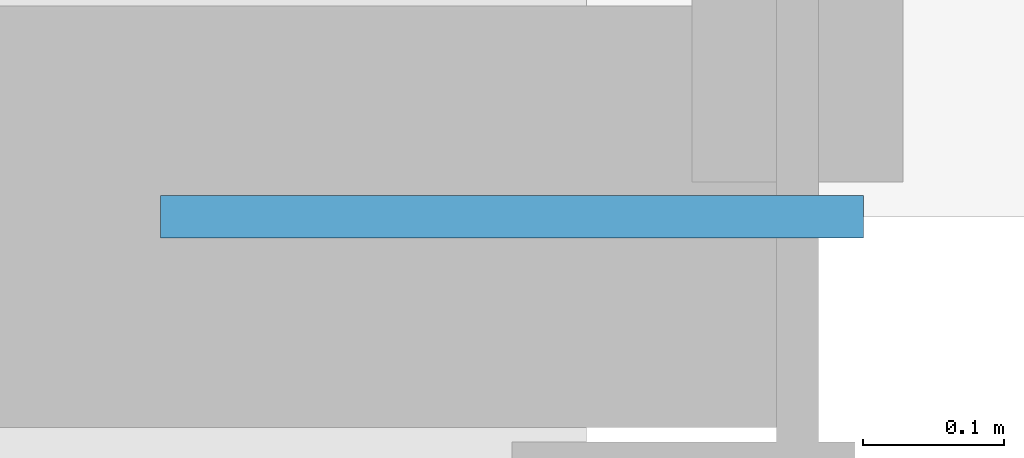
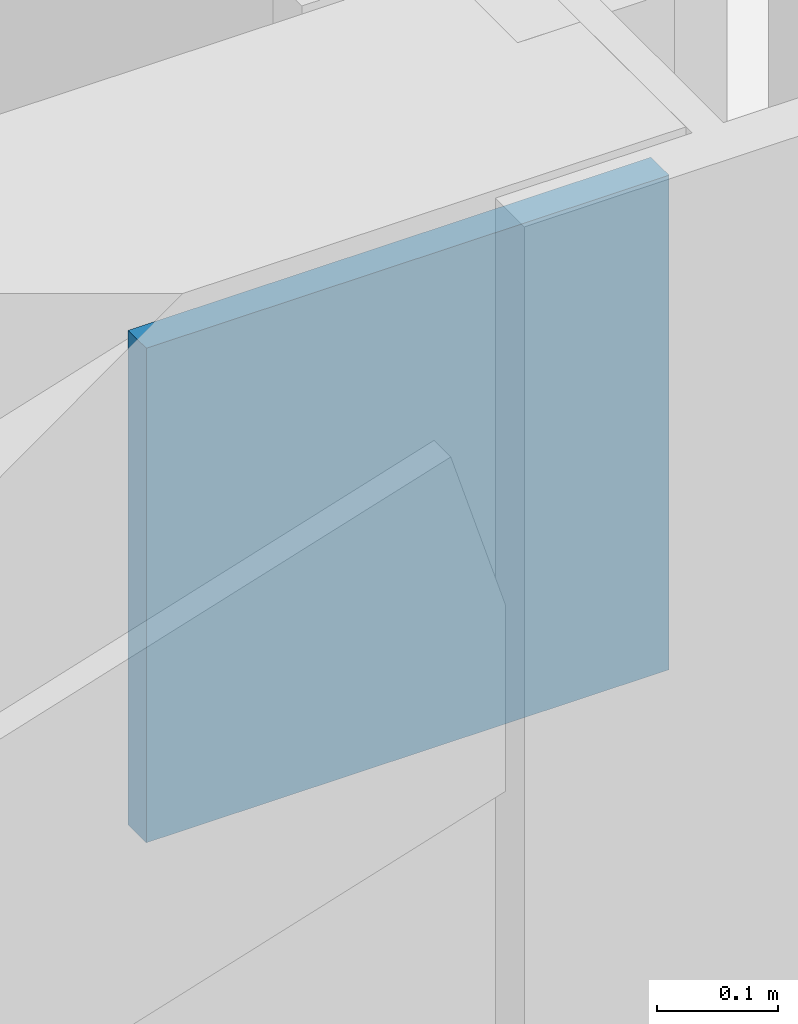
# One storey, part 19 of 28: 1 discrete accessory.
"""IFC4 building model written with IfcOpenShell, lengths in metres."""

from ifc_helpers import new_model, si_unit, direction, frame, origin, origin_2d, place, context, subcontext, project, spatial, rectangle, extrude, material, layer, layer_set, type_object, element, save


model = new_model("IFC4")

# Units and contexts
model_context = context("Model", 3, precision=1e-05, world=origin(), true_north=direction((0.0, 1.0)))
body_context = subcontext(model_context, "Body", "Model", "MODEL_VIEW")
ifc_project = project(units=[si_unit("LENGTHUNIT", "METRE"), si_unit("AREAUNIT", "SQUARE_METRE"), si_unit("VOLUMEUNIT", "CUBIC_METRE"), si_unit("PLANEANGLEUNIT", "RADIAN"), si_unit("MASSUNIT", "GRAM", prefix="KILO")], contexts=[model_context])

# Site, building, storey
site_placement = place(None, origin())
site = spatial("IfcSite", under=ifc_project, at=site_placement, CompositionType="ELEMENT")
building_placement = place(site_placement, origin())
building = spatial("IfcBuilding", under=site, at=building_placement, Name="Mahtab Terrace Research Tower", CompositionType="ELEMENT")
storey_placement = place(building_placement, frame((0.0, 0.0, 185.800048828125)))
storey = spatial("IfcBuildingStorey", under=building, at=storey_placement, Name="L44", CompositionType="ELEMENT", Elevation=185.800048828125)

# Discrete accessory
ifc_material = material(Name="Steel ASTM A992 Gr 50", Category="steel")
ifc_layer = layer(ifc_material, 0.030029296875)
ifc_layer_set = layer_set([ifc_layer], Name="Gusset plate 500x500x30")
discrete_accessory_type = type_object("IfcDiscreteAccessoryType", Name="Gusset plate 500x500x30", PredefinedType="USERDEFINED", material=ifc_layer_set)
discrete_accessory_placement = place(storey_placement, frame((5.796875, -23.0, 2.74755859375), z_axis=(0.0, 0.0, 1.0), x_axis=(1.0, 0.0, 0.0)))
element("IfcDiscreteAccessory", 1, at=discrete_accessory_placement, inside=storey, type_object=discrete_accessory_type, Name="Gusset plate", ObjectType="GUSSET PLATE", PredefinedType="USERDEFINED", context=body_context, shape_type="SweptSolid", body=[
    extrude(rectangle(XDim=0.5, YDim=0.030029296875, at=origin_2d()), origin(), (0.0, 0.0, 1.0), 0.5),
])

save(model, "model.ifc")
